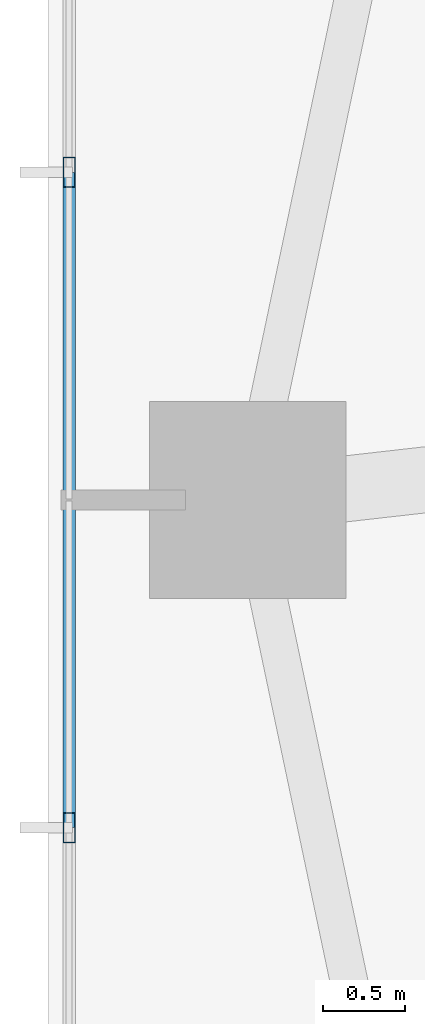
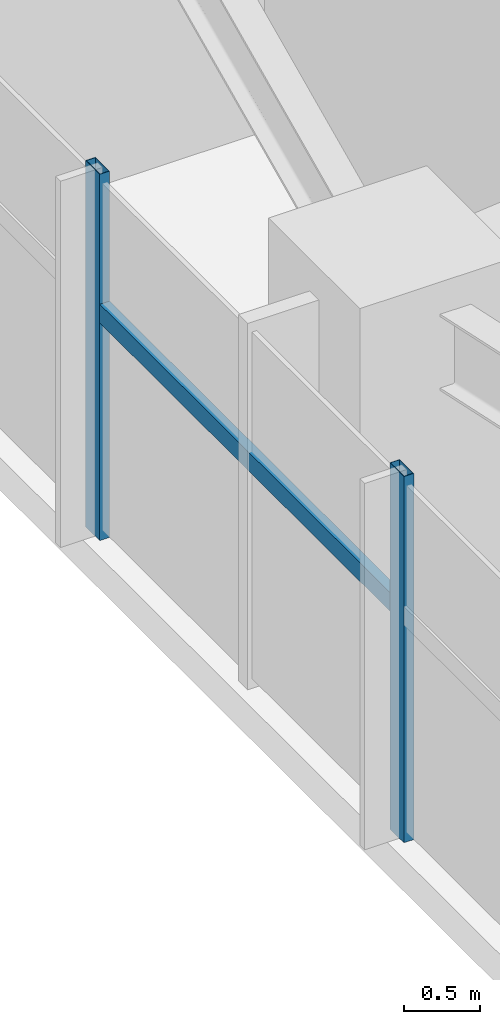
# One storey, part 4 of 25: 3 members, 1 element without a shape of its own.
"""IFC4 building model written with IfcOpenShell, lengths in metres."""

from ifc_helpers import new_model, si_unit, direction, frame, origin, origin_2d, place, context, subcontext, project, spatial, hollow_rectangle, extrude, source, transform, mapped, material, material_profile, profile_set, type_object, type_shapes, element, aggregate, save


model = new_model("IFC4")

# Units and contexts
model_context = context("Model", 3, precision=1e-05, world=origin(), true_north=direction((0.0, 1.0)))
body_context = subcontext(model_context, "Body", "Model", "MODEL_VIEW")
ifc_project = project(units=[si_unit("LENGTHUNIT", "METRE"), si_unit("AREAUNIT", "SQUARE_METRE"), si_unit("VOLUMEUNIT", "CUBIC_METRE"), si_unit("PLANEANGLEUNIT", "RADIAN"), si_unit("MASSUNIT", "GRAM", prefix="KILO")], contexts=[model_context])

# Site, building, storey
site_placement = place(None, origin())
site = spatial("IfcSite", under=ifc_project, at=site_placement, CompositionType="ELEMENT")
building_placement = place(site_placement, origin())
building = spatial("IfcBuilding", under=site, at=building_placement, Name="Astriad Promenade Condominiums", CompositionType="ELEMENT")
storey_placement = place(building_placement, frame((0.0, 0.0, 55.0)))
storey = spatial("IfcBuildingStorey", under=building, at=storey_placement, Name="L15", CompositionType="ELEMENT", Elevation=55.0)

# Curtain wall, members
ifc_material_1 = material(Name="Anodised aluminium Black Dark Glass Unitised", Category="aluminium")
curtain_wall_type = type_object("IfcCurtainWallType", Name="CW-B1-DARK", PredefinedType="USERDEFINED", material=ifc_material_1)
curtain_wall_placement = place(storey_placement, origin())
curtain_wall = element("IfcCurtainWall", 1, at=curtain_wall_placement, inside=storey, type_object=curtain_wall_type, Name="CW-L15-W", ObjectType="UNITISED_CURTAIN_WALL", PredefinedType="USERDEFINED")
ifc_material_2 = material(Name="Anodised aluminium 6063-T6 Black", Category="aluminium")
ifc_material_profile_1 = material_profile(ifc_material_2, hollow_rectangle(XDim=0.074951171875, YDim=0.18505859375, WallThickness=0.00439453125, at=origin_2d()), Name="ALU-MUL-75X185")
ifc_profile_set_1 = profile_set([ifc_material_profile_1], Name="Anodised aluminium 6063-T6 Black")
member_type_1 = type_object("IfcMemberType", Name="MUL-ALU-MUL-75X185", PredefinedType="MULLION", material=ifc_profile_set_1)
shared_shape_1 = source(origin(), body_context, "Body", "SweptSolid", [
    extrude(hollow_rectangle(XDim=0.074951171875, YDim=0.18505859375, WallThickness=0.00439453125, at=origin_2d()), origin(), (0.0, 0.0, 1.0), 2.93994140625),
])
type_shapes(member_type_1, [shared_shape_1])
member_1_placement = place(storey_placement, frame((5.929931640625, 13.199951171875, 0.0), z_axis=(0.0, 0.0, 1.0), x_axis=(1.0, 0.0, 0.0)))
member_1 = element("IfcMember", 2, at=member_1_placement, type_object=member_type_1, Name="CW-L15-W-MUL-02", PredefinedType="MULLION", context=body_context, shape_type="MappedRepresentation", body=[
    mapped(shared_shape_1, transform((0.0, 0.0, 0.0), scale=1.0)),
])
member_2_placement = place(storey_placement, frame((5.929931640625, 17.199951171875, 0.0), z_axis=(0.0, 0.0, 1.0), x_axis=(1.0, 0.0, 0.0)))
member_2 = element("IfcMember", 3, at=member_2_placement, type_object=member_type_1, Name="CW-L15-W-MUL-03", PredefinedType="MULLION", context=body_context, shape_type="MappedRepresentation", body=[
    mapped(shared_shape_1, transform((0.0, 0.0, 0.0), scale=1.0)),
])
ifc_material_profile_2 = material_profile(ifc_material_2, hollow_rectangle(XDim=0.074951171875, YDim=0.14990234375, WallThickness=0.004150390625, at=origin_2d()), Name="ALU-TRN-75X150")
ifc_profile_set_2 = profile_set([ifc_material_profile_2], Name="Anodised aluminium 6063-T6 Black")
member_type_2 = type_object("IfcMemberType", Name="TRN-ALU-TRN-75X150", PredefinedType="USERDEFINED", material=ifc_profile_set_2)
shared_shape_2 = source(origin(), body_context, "Body", "SweptSolid", [
    extrude(hollow_rectangle(XDim=0.074951171875, YDim=0.14990234375, WallThickness=0.004150390625, at=origin_2d()), origin(), (0.0, 0.0, 1.0), 4.0),
])
type_shapes(member_type_2, [shared_shape_2])
member_3_placement = place(storey_placement, frame((5.929931640625, 13.199951171875, 1.82275390625), z_axis=(0.0, 1.0, 0.0), x_axis=(-1.0, 0.0, 0.0)))
member_3 = element("IfcMember", 4, at=member_3_placement, type_object=member_type_2, Name="CW-L15-W-TRN-02-0", ObjectType="TRANSOM", PredefinedType="USERDEFINED", context=body_context, shape_type="MappedRepresentation", body=[
    mapped(shared_shape_2, transform((0.0, 0.0, 0.0), scale=1.0)),
])
aggregate(curtain_wall, [member_1, member_2, member_3])

save(model, "model.ifc")
